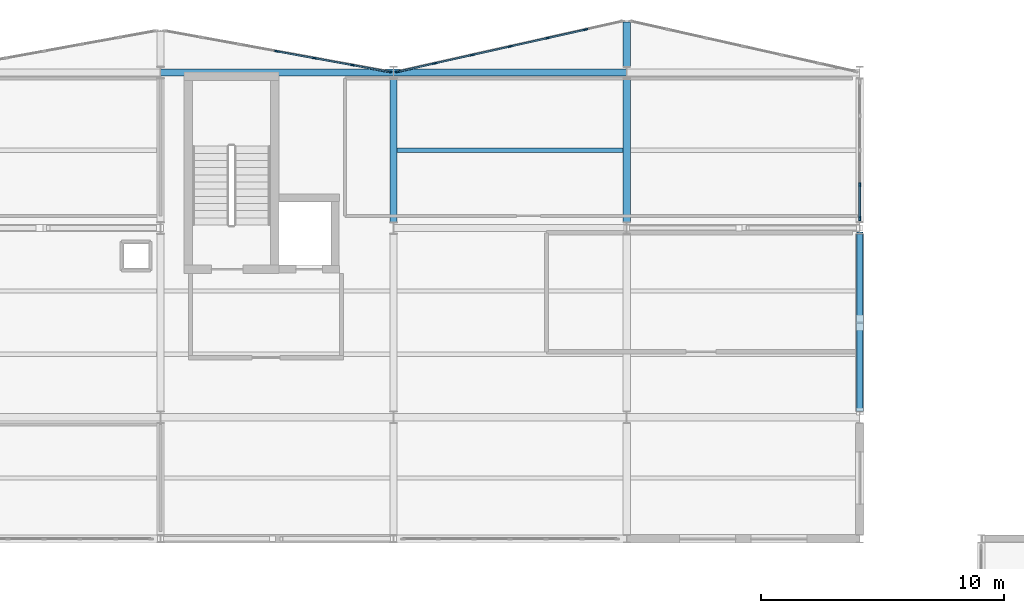
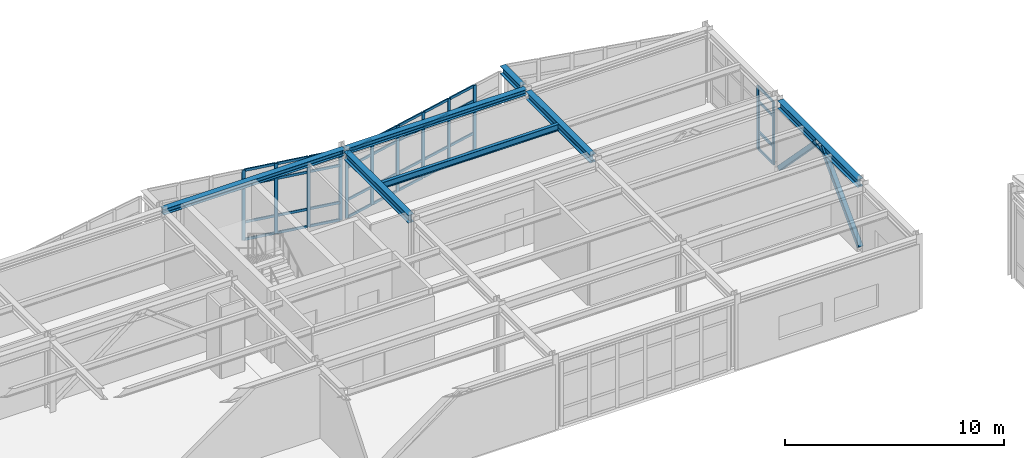
# One storey, part 36 of 64: 50 members, 7 beams, 3 elements without a shape of their own.
"""IFC4 building model written with IfcOpenShell, lengths in metres."""

import ifcopenshell
import ifcopenshell.guid

model = None  # the IFC model being written
_history = None  # IfcOwnerHistory: only IFC2X3 demands one
_inside = {}  # id of a spatial element -> (the spatial element, [elements in it])
_under = {}  # id of a project, library or spatial element -> (it, [spatial elements below it])
_declared = {}  # id of a project -> (the project, [libraries it declares])
_typed = {}  # id of a type object -> (the type object, [elements of that type])
_made_of = {}  # id of a material, layer set ... -> (it, [elements and type objects made of it])


def new_model(schema):
    """Start an empty IFC model of exactly this schema.

    Asked for "IFC4X3", IfcOpenShell would pick the latest addendum, in which some entities
    have other attributes; the version numbers below select the first issue.
    IFC2X3 requires an IfcOwnerHistory on every rooted entity: one is made here for all.
    """
    global model, _history
    if schema == "IFC4X3":
        model = ifcopenshell.file(schema_version=(4, 3, 0, 0))
    else:
        model = ifcopenshell.file(schema=schema)
    _inside.clear()
    _under.clear()
    _declared.clear()
    _typed.clear()
    _made_of.clear()
    _history = None
    if model.schema == "IFC2X3":
        org = make("IfcOrganization", Name="unknown")
        user = make(
            "IfcPersonAndOrganization",
            ThePerson=make("IfcPerson", FamilyName="unknown"),
            TheOrganization=org,
        )
        app = make(
            "IfcApplication",
            ApplicationDeveloper=org,
            Version="unknown",
            ApplicationFullName="unknown",
            ApplicationIdentifier="unknown",
        )
        _history = make(
            "IfcOwnerHistory",
            OwningUser=user,
            OwningApplication=app,
            ChangeAction="ADDED",
            CreationDate=0,
        )
    return model


def make(cls, **values):
    """One entity of the class cls with the attributes given. An attribute that is None is left unset."""
    return model.create_entity(
        cls, **{name: value for name, value in values.items() if value is not None}
    )


def rooted(cls, **values):
    """An entity with a GlobalId (a new one), such as an element, a storey or a relation."""
    return make(cls, GlobalId=ifcopenshell.guid.new(), OwnerHistory=_history, **values)


def si_unit(unit_type, name, prefix=None):
    """IfcSIUnit, for example si_unit("LENGTHUNIT", "METRE", prefix="MILLI")."""
    return make("IfcSIUnit", UnitType=unit_type, Prefix=prefix, Name=name)


def assignment(units):
    """IfcUnitAssignment: the units of a project."""
    return None if units is None else make("IfcUnitAssignment", Units=units)


def point(xyz):
    """IfcCartesianPoint."""
    return None if xyz is None else make("IfcCartesianPoint", Coordinates=xyz)


def direction(xyz):
    """IfcDirection."""
    return None if xyz is None else make("IfcDirection", DirectionRatios=xyz)


def frame(location, z_axis=None, x_axis=None):
    """IfcAxis2Placement3D, a coordinate frame: its origin and axes. An axis left out is left unset."""
    return make(
        "IfcAxis2Placement3D",
        Location=point(location),
        Axis=direction(z_axis),
        RefDirection=direction(x_axis),
    )


def frame_2d(location, x_axis=None):
    """IfcAxis2Placement2D, a coordinate frame in the plane: its origin and x axis."""
    return make(
        "IfcAxis2Placement2D", Location=point(location), RefDirection=direction(x_axis)
    )


def origin():
    """The frame at (0, 0, 0) with its axes left unset."""
    return frame((0.0, 0.0, 0.0))


def origin_2d():
    """The frame at (0, 0) in the plane with its x axis left unset."""
    return frame_2d((0.0, 0.0))


def place(relative_to, where):
    """IfcLocalPlacement: puts the frame where relative to a parent placement (None: the world)."""
    return make(
        "IfcLocalPlacement", PlacementRelTo=relative_to, RelativePlacement=where
    )


def context(
    kind, dimensions, precision=None, world=None, true_north=None, identifier=None
):
    """IfcGeometricRepresentationContext, for example the 3D "Model" context."""
    return make(
        "IfcGeometricRepresentationContext",
        ContextIdentifier=identifier,
        ContextType=kind,
        CoordinateSpaceDimension=dimensions,
        Precision=precision,
        WorldCoordinateSystem=world,
        TrueNorth=true_north,
    )


def subcontext(parent, identifier, kind, view, scale=None):
    """IfcGeometricRepresentationSubContext, for example "Body" below "Model"."""
    return make(
        "IfcGeometricRepresentationSubContext",
        ContextIdentifier=identifier,
        ContextType=kind,
        ParentContext=parent,
        TargetScale=scale,
        TargetView=view,
    )


def project(units=None, contexts=None):
    """IfcProject with its units and contexts."""
    return rooted(
        "IfcProject",
        Name="project",
        RepresentationContexts=contexts,
        UnitsInContext=assignment(units),
    )


def spatial(cls, under=None, at=None, **own):
    """A site, building, storey or space (cls), placed at a placement, below another one or the project."""
    s = rooted(cls, ObjectPlacement=at, **own)
    if under is not None:
        _under.setdefault(under.id(), (under, []))[1].append(s)
    return s


def profile(cls, at=None, kind="AREA", **sizes):
    """A parametric profile (cls). Its sizes go by their IFC names, for example OverallWidth=200.0."""
    return make(cls, ProfileType=kind, Position=at, **sizes)


def rectangle(**sizes):
    """IfcRectangleProfileDef."""
    return profile("IfcRectangleProfileDef", **sizes)


def hollow_rectangle(**sizes):
    """IfcRectangleHollowProfileDef."""
    return profile("IfcRectangleHollowProfileDef", **sizes)


def i_section(**sizes):
    """IfcIShapeProfileDef."""
    return profile("IfcIShapeProfileDef", **sizes)


def extrude(swept, where, along, depth):
    """IfcExtrudedAreaSolid: the profile swept, set in the frame where, extruded along a direction by depth."""
    return make(
        "IfcExtrudedAreaSolid",
        SweptArea=swept,
        Position=where,
        ExtrudedDirection=direction(along),
        Depth=depth,
    )


def shape(context_of_items, identifier, shape_type, items):
    """IfcShapeRepresentation: the items that make up one representation, for example the "Body"."""
    return make(
        "IfcShapeRepresentation",
        ContextOfItems=context_of_items,
        RepresentationIdentifier=identifier,
        RepresentationType=shape_type,
        Items=items,
    )


def material(Name=None, Category=None):
    """IfcMaterial."""
    return make("IfcMaterial", Name=Name, Category=Category)


def layer(
    of_material, thickness, ventilated=None, Name=None, Category=None, Priority=None
):
    """IfcMaterialLayer: one layer of a wall or slab, of a material (None: an air gap)."""
    return make(
        "IfcMaterialLayer",
        Material=of_material,
        LayerThickness=thickness,
        IsVentilated=ventilated,
        Name=Name,
        Category=Category,
        Priority=Priority,
    )


def layer_set(layers, Name=None):
    """IfcMaterialLayerSet."""
    return make("IfcMaterialLayerSet", MaterialLayers=layers, LayerSetName=Name)


def material_profile(
    of_material, cross_section, Name=None, Category=None, Priority=None
):
    """IfcMaterialProfile: a cross section and its material."""
    return make(
        "IfcMaterialProfile",
        Name=Name,
        Material=of_material,
        Profile=cross_section,
        Priority=Priority,
        Category=Category,
    )


def profile_set(profiles, Name=None, composite=None):
    """IfcMaterialProfileSet."""
    return make(
        "IfcMaterialProfileSet",
        Name=Name,
        MaterialProfiles=profiles,
        CompositeProfile=composite,
    )


def made_of(thing, what):
    """Note that an element or type object is made of a material, layer set ...; save() writes the relation."""
    if what is not None:
        _made_of.setdefault(what.id(), (what, []))[1].append(thing)
    return thing


def type_object(cls, material=None, **own):
    """A type object (cls), such as IfcWallType, which elements share."""
    return made_of(rooted(cls, **own), material)


def element(
    cls,
    number,
    at=None,
    inside=None,
    cuts=None,
    type_object=None,
    material=None,
    context=None,
    identifier="Body",
    shape_type=None,
    held_by="IfcProductDefinitionShape",
    body=None,
    shapes=None,
    **own,
):
    """One element of the class cls, such as IfcWall. Its Tag is "e" and its number.

    at: its placement. inside: the storey or other place that contains it. cuts: it is an
    opening in that element (IfcRelVoidsElement). A single representation is given by context,
    identifier, shape_type and body (its items); several are given by shapes. held_by: the class
    of the entity that holds the representations. save() writes the other relations.
    """
    e = rooted(cls, Tag="e%d" % number, ObjectPlacement=at, **own)
    if body is not None:
        shapes = [shape(context, identifier, shape_type, body)]
    if shapes is not None:
        e.Representation = make(held_by, Representations=shapes)
    if inside is not None:
        _inside.setdefault(inside.id(), (inside, []))[1].append(e)
    if cuts is not None:
        rooted(
            "IfcRelVoidsElement", RelatingBuildingElement=cuts, RelatedOpeningElement=e
        )
    if type_object is not None:
        _typed.setdefault(type_object.id(), (type_object, []))[1].append(e)
    return made_of(e, material)


def aggregate(whole, parts):
    """IfcRelAggregates: a whole, such as a stair, and the parts it consists of."""
    return rooted("IfcRelAggregates", RelatingObject=whole, RelatedObjects=parts)


def save(model, path):
    """Write the relations noted so far, then the file.

    IfcRelAggregates (storeys below a building ...), IfcRelContainedInSpatialStructure (elements
    in a storey), IfcRelDefinesByType, IfcRelAssociatesMaterial and IfcRelDeclares: one each for
    every whole, place, type object, material and project.
    """
    for whole, parts in _under.values():
        aggregate(whole, parts)
    for where, things in _inside.values():
        rooted(
            "IfcRelContainedInSpatialStructure",
            RelatedElements=things,
            RelatingStructure=where,
        )
    for kind, things in _typed.values():
        rooted("IfcRelDefinesByType", RelatedObjects=things, RelatingType=kind)
    for what, things in _made_of.values():
        rooted("IfcRelAssociatesMaterial", RelatedObjects=things, RelatingMaterial=what)
    for by, libraries in _declared.values():
        rooted("IfcRelDeclares", RelatingContext=by, RelatedDefinitions=libraries)
    model.write(path)


model = new_model("IFC4")

# Units and contexts
model_context = context("Model", 3, precision=1e-05, world=origin(), true_north=direction((0.0, 1.0)))
body_context = subcontext(model_context, "Body", "Model", "MODEL_VIEW")
ifc_project = project(units=[si_unit("LENGTHUNIT", "METRE"), si_unit("AREAUNIT", "SQUARE_METRE"), si_unit("VOLUMEUNIT", "CUBIC_METRE"), si_unit("PLANEANGLEUNIT", "RADIAN"), si_unit("MASSUNIT", "GRAM", prefix="KILO")], contexts=[model_context])

# Site, building, storey
site_placement = place(None, origin())
site = spatial("IfcSite", under=ifc_project, at=site_placement, CompositionType="ELEMENT")
building_placement = place(site_placement, origin())
building = spatial("IfcBuilding", under=site, at=building_placement, Name="Nordkorset Police Headquarters", CompositionType="ELEMENT")
storey_placement = place(building_placement, frame((0.0, 0.0, 17.85009765625)))
storey = spatial("IfcBuildingStorey", under=building, at=storey_placement, Name="L04", CompositionType="ELEMENT", Elevation=17.85009765625)

# Beam
ifc_material_1 = material(Name="Steel S355J2", Category="steel")
ifc_material_profile_1 = material_profile(ifc_material_1, i_section(OverallWidth=0.169921875, OverallDepth=0.360107421875, WebThickness=0.008056640625, FlangeThickness=0.0126953125, FilletRadius=0.01806640625, at=origin_2d()), Name="IPE 360")
ifc_profile_set_1 = profile_set([ifc_material_profile_1], Name="Steel S355J2")
beam_type_1 = type_object("IfcBeamType", Name="Beam_IPE_360", PredefinedType="BEAM", material=ifc_profile_set_1)
beam_1_placement = place(storey_placement, frame((67.35009765625, 113.60009765625, 3.809814453125), z_axis=(1.0, 0.0, 0.0), x_axis=(0.0, 1.0, 0.0)))
element("IfcBeam", 1, at=beam_1_placement, inside=storey, type_object=beam_type_1, Name="Composite Floor Beam V2 L04 4-2-1", PredefinedType="BEAM", context=body_context, shape_type="SweptSolid", body=[
    extrude(i_section(OverallWidth=0.169921875, OverallDepth=0.360107421875, WebThickness=0.008056640625, FlangeThickness=0.0126953125, FilletRadius=0.01806640625, at=origin_2d()), origin(), (0.0, 0.0, 1.0), 9.2998046875),
])

# Members
ifc_material_2 = material(Name="Steel S355J2", Category="steel")
ifc_material_profile_2 = material_profile(ifc_material_2, hollow_rectangle(XDim=0.25, YDim=0.25, WallThickness=0.012451171875, InnerFilletRadius=0.012451171875, OuterFilletRadius=0.02490234375, at=origin_2d()), Name="SHS 250x250x12.5")
ifc_profile_set_2 = profile_set([ifc_material_profile_2], Name="Steel S355J2")
member_type_1 = type_object("IfcMemberType", Name="Brace_SHS_250x250x12.5", PredefinedType="BRACE", material=ifc_profile_set_2)
for number, where, z_axis, x_axis, name in (
    (2, (86.39990234375, 102.85009765625, 0.199951171875), (0.0, 0.696982450013, 0.717088184517), (-1.0, 0.0, 0.0), "Lateral Chevron Brace BF-EXT-V2E L04 D1"),
    (3, (86.39990234375, 110.14990234375, 0.199951171875), (0.0, -0.696982450013, 0.717088184517), (1.0, 0.0, 0.0), "Lateral Chevron Brace BF-EXT-V2E L04 D2"),
):
    element("IfcMember", number, at=place(storey_placement, frame(where, z_axis=z_axis, x_axis=x_axis)), inside=storey, type_object=member_type_1, Name=name, PredefinedType="BRACE", context=body_context, shape_type="SweptSolid", body=[
        extrude(hollow_rectangle(XDim=0.25, YDim=0.25, WallThickness=0.012451171875, InnerFilletRadius=0.012451171875, OuterFilletRadius=0.02490234375, at=origin_2d()), origin(), (0.0, 0.0, 1.0), 4.978515625),
    ])

# Curtain wall, members
ifc_material_3 = material(Name="Aluminium alloy AW-6060", Category="aluminium")
ifc_layer_1 = layer(ifc_material_3, 0.179931640625, Name="Aluminium alloy AW-6060")
ifc_layer_set_1 = layer_set([ifc_layer_1], Name="Aluminium alloy AW-6060")
curtain_wall_type_1 = type_object("IfcCurtainWallType", Name="CW_Unit_948x392", PredefinedType="USERDEFINED", material=ifc_layer_set_1)
curtain_wall_1_placement = place(storey_placement, origin())
curtain_wall_1 = element("IfcCurtainWall", 4, at=curtain_wall_1_placement, inside=storey, type_object=curtain_wall_type_1, Name="Unitised Curtain Wall L04 V2N-3", ObjectType="UNITISED CURTAIN WALL", PredefinedType="USERDEFINED")
ifc_material_4 = material(Name="Aluminium alloy AW-6060", Category="aluminium")
ifc_material_profile_3 = material_profile(ifc_material_4, rectangle(XDim=0.06494140625, YDim=0.179931640625, at=origin_2d()), Name="ALU MULL 65x180")
ifc_profile_set_3 = profile_set([ifc_material_profile_3], Name="Aluminium alloy AW-6060")
member_type_2 = type_object("IfcMemberType", Name="CW_Mullion_65x180", PredefinedType="MULLION", material=ifc_profile_set_3)
member_1_placement = place(storey_placement, frame((62.39990234375, 117.675048828125, 0.0), z_axis=(0.0, 0.0, 1.0), x_axis=(0.179335715876, 0.983787934979, 0.0)))
member_1 = element("IfcMember", 5, at=member_1_placement, type_object=member_type_2, Name="CW-65 mullion 4", PredefinedType="MULLION", context=body_context, shape_type="SweptSolid", body=[
    extrude(rectangle(XDim=0.06494140625, YDim=0.179931640625, at=origin_2d()), origin(), (0.0, 0.0, 1.0), 3.919921875),
])
member_2_placement = place(storey_placement, frame((63.9541015625, 117.3916015625, 0.0), z_axis=(0.0, 0.0, 1.0), x_axis=(0.179335715876, 0.983787934979, 0.0)))
member_2 = element("IfcMember", 6, at=member_2_placement, type_object=member_type_2, Name="CW-65 mullion 5", PredefinedType="MULLION", context=body_context, shape_type="SweptSolid", body=[
    extrude(rectangle(XDim=0.06494140625, YDim=0.179931640625, at=origin_2d()), origin(), (0.0, 0.0, 1.0), 3.919921875),
])
member_3_placement = place(storey_placement, frame((65.50830078125, 117.1083984375, 0.0), z_axis=(0.0, 0.0, 1.0), x_axis=(0.179335715876, 0.983787934979, 0.0)))
member_3 = element("IfcMember", 7, at=member_3_placement, type_object=member_type_2, Name="CW-65 mullion 6", PredefinedType="MULLION", context=body_context, shape_type="SweptSolid", body=[
    extrude(rectangle(XDim=0.06494140625, YDim=0.179931640625, at=origin_2d()), origin(), (0.0, 0.0, 1.0), 3.919921875),
])
member_4_placement = place(storey_placement, frame((67.0302734375, 116.8310546875, 0.0), z_axis=(0.0, 0.0, 1.0), x_axis=(0.179335715876, 0.983787934979, 0.0)))
member_4 = element("IfcMember", 8, at=member_4_placement, type_object=member_type_2, Name="CW-65 mullion 7", PredefinedType="MULLION", context=body_context, shape_type="SweptSolid", body=[
    extrude(rectangle(XDim=0.06494140625, YDim=0.179931640625, at=origin_2d()), origin(), (0.0, 0.0, 1.0), 3.919921875),
])

ifc_material_5 = material(Name="Aluminium alloy AW-6060", Category="aluminium")
ifc_layer_2 = layer(ifc_material_5, 0.179931640625, Name="Aluminium alloy AW-6060")
ifc_layer_set_2 = layer_set([ifc_layer_2], Name="Aluminium alloy AW-6060")
curtain_wall_type_2 = type_object("IfcCurtainWallType", Name="CW_Unit_956x366", PredefinedType="USERDEFINED", material=ifc_layer_set_2)
curtain_wall_2_placement = place(storey_placement, origin())
curtain_wall_2 = element("IfcCurtainWall", 9, at=curtain_wall_2_placement, inside=storey, type_object=curtain_wall_type_2, Name="Unitised Curtain Wall L04 V2N-4", ObjectType="UNITISED CURTAIN WALL", PredefinedType="USERDEFINED")
member_5_placement = place(storey_placement, frame((67.368408203125, 116.837646484375, 0.0), z_axis=(0.0, 0.0, 1.0), x_axis=(-0.218544020358, 0.975827090814, 0.0)))
member_5 = element("IfcMember", 10, at=member_5_placement, type_object=member_type_2, Name="CW-61 mullion 1", PredefinedType="MULLION", context=body_context, shape_type="SweptSolid", body=[
    extrude(rectangle(XDim=0.06494140625, YDim=0.179931640625, at=origin_2d()), origin(), (0.0, 0.0, 1.0), 3.659912109375),
])
member_6_placement = place(storey_placement, frame((68.89111328125, 117.1787109375, 0.0), z_axis=(0.0, 0.0, 1.0), x_axis=(-0.218544020358, 0.975827090814, 0.0)))
member_6 = element("IfcMember", 11, at=member_6_placement, type_object=member_type_2, Name="CW-61 mullion 2", PredefinedType="MULLION", context=body_context, shape_type="SweptSolid", body=[
    extrude(rectangle(XDim=0.06494140625, YDim=0.179931640625, at=origin_2d()), origin(), (0.0, 0.0, 1.0), 3.659912109375),
])
member_7_placement = place(storey_placement, frame((70.445556640625, 117.52685546875, 0.0), z_axis=(0.0, 0.0, 1.0), x_axis=(-0.218544020358, 0.975827090814, 0.0)))
member_7 = element("IfcMember", 12, at=member_7_placement, type_object=member_type_2, Name="CW-61 mullion 3", PredefinedType="MULLION", context=body_context, shape_type="SweptSolid", body=[
    extrude(rectangle(XDim=0.06494140625, YDim=0.179931640625, at=origin_2d()), origin(), (0.0, 0.0, 1.0), 3.659912109375),
])
member_8_placement = place(storey_placement, frame((72.0, 117.875, 0.0), z_axis=(0.0, 0.0, 1.0), x_axis=(-0.218544020358, 0.975827090814, 0.0)))
member_8 = element("IfcMember", 13, at=member_8_placement, type_object=member_type_2, Name="CW-61 mullion 4", PredefinedType="MULLION", context=body_context, shape_type="SweptSolid", body=[
    extrude(rectangle(XDim=0.06494140625, YDim=0.179931640625, at=origin_2d()), origin(), (0.0, 0.0, 1.0), 3.659912109375),
])
member_9_placement = place(storey_placement, frame((73.554443359375, 118.22314453125, 0.0), z_axis=(0.0, 0.0, 1.0), x_axis=(-0.218544020358, 0.975827090814, 0.0)))
member_9 = element("IfcMember", 14, at=member_9_placement, type_object=member_type_2, Name="CW-61 mullion 5", PredefinedType="MULLION", context=body_context, shape_type="SweptSolid", body=[
    extrude(rectangle(XDim=0.06494140625, YDim=0.179931640625, at=origin_2d()), origin(), (0.0, 0.0, 1.0), 3.659912109375),
])
member_10_placement = place(storey_placement, frame((75.10888671875, 118.5712890625, 0.0), z_axis=(0.0, 0.0, 1.0), x_axis=(-0.218544020358, 0.975827090814, 0.0)))
member_10 = element("IfcMember", 15, at=member_10_placement, type_object=member_type_2, Name="CW-61 mullion 6", PredefinedType="MULLION", context=body_context, shape_type="SweptSolid", body=[
    extrude(rectangle(XDim=0.06494140625, YDim=0.179931640625, at=origin_2d()), origin(), (0.0, 0.0, 1.0), 3.659912109375),
])

ifc_material_6 = material(Name="Aluminium alloy AW-6060", Category="aluminium")
ifc_layer_3 = layer(ifc_material_6, 0.179931640625, Name="Aluminium alloy AW-6060")
ifc_layer_set_3 = layer_set([ifc_layer_3], Name="Aluminium alloy AW-6060")
curtain_wall_type_3 = type_object("IfcCurtainWallType", Name="CW_Unit_568x353", PredefinedType="USERDEFINED", material=ifc_layer_set_3)
curtain_wall_3_placement = place(storey_placement, origin())
curtain_wall_3 = element("IfcCurtainWall", 16, at=curtain_wall_3_placement, inside=storey, type_object=curtain_wall_type_3, Name="Unitised Curtain Wall L04 V2E-1", ObjectType="UNITISED CURTAIN WALL", PredefinedType="USERDEFINED")
member_11_placement = place(storey_placement, frame((86.39990234375, 110.79248046875, 0.0), z_axis=(0.0, 0.0, 1.0), x_axis=(-1.0, 0.0, 0.0)))
member_11 = element("IfcMember", 17, at=member_11_placement, type_object=member_type_2, Name="CW-17 mullion 1", PredefinedType="MULLION", context=body_context, shape_type="SweptSolid", body=[
    extrude(rectangle(XDim=0.06494140625, YDim=0.179931640625, at=origin_2d()), origin(), (0.0, 0.0, 1.0), 3.52978515625),
])
member_12_placement = place(storey_placement, frame((86.39990234375, 112.179931640625, 0.0), z_axis=(0.0, 0.0, 1.0), x_axis=(-1.0, 0.0, 0.0)))
member_12 = element("IfcMember", 18, at=member_12_placement, type_object=member_type_2, Name="CW-17 mullion 2", PredefinedType="MULLION", context=body_context, shape_type="SweptSolid", body=[
    extrude(rectangle(XDim=0.06494140625, YDim=0.179931640625, at=origin_2d()), origin(), (0.0, 0.0, 1.0), 3.52978515625),
])

# Member
ifc_material_7 = material(Name="Aluminium alloy AW-6060", Category="aluminium")
ifc_material_profile_4 = material_profile(ifc_material_7, rectangle(XDim=0.06494140625, YDim=0.139892578125, at=origin_2d()), Name="ALU TRAN 65x140")
ifc_profile_set_4 = profile_set([ifc_material_profile_4], Name="Aluminium alloy AW-6060")
member_type_3 = type_object("IfcMemberType", Name="CW_Transom_65x140", PredefinedType="USERDEFINED", material=ifc_profile_set_4)
member_13_placement = place(storey_placement, frame((62.431884765625, 117.669189453125, 0.032470703125), z_axis=(0.983779529869, -0.179381817946, 0.0), x_axis=(0.179381817946, 0.983779529869, 0.0)))
member_13 = element("IfcMember", 19, at=member_13_placement, type_object=member_type_3, Name="CW-65 transom 4.1", ObjectType="TRANSOM", PredefinedType="USERDEFINED", context=body_context, shape_type="SweptSolid", body=[
    extrude(rectangle(XDim=0.06494140625, YDim=0.139892578125, at=origin_2d()), origin(), (0.0, 0.0, 1.0), 1.514892578125),
])

member_14_placement = place(storey_placement, frame((62.431884765625, 117.669189453125, 1.0), z_axis=(0.983779529869, -0.179381817946, 0.0), x_axis=(0.179381817946, 0.983779529869, 0.0)))
member_14 = element("IfcMember", 20, at=member_14_placement, type_object=member_type_3, Name="CW-65 transom 4.2", ObjectType="TRANSOM", PredefinedType="USERDEFINED", context=body_context, shape_type="SweptSolid", body=[
    extrude(rectangle(XDim=0.06494140625, YDim=0.139892578125, at=origin_2d()), origin(), (0.0, 0.0, 1.0), 1.514892578125),
])

member_15_placement = place(storey_placement, frame((62.431884765625, 117.669189453125, 3.06982421875), z_axis=(0.983779529869, -0.179381817946, 0.0), x_axis=(0.179381817946, 0.983779529869, 0.0)))
member_15 = element("IfcMember", 21, at=member_15_placement, type_object=member_type_3, Name="CW-65 transom 4.3", ObjectType="TRANSOM", PredefinedType="USERDEFINED", context=body_context, shape_type="SweptSolid", body=[
    extrude(rectangle(XDim=0.06494140625, YDim=0.139892578125, at=origin_2d()), origin(), (0.0, 0.0, 1.0), 1.514892578125),
])

member_16_placement = place(storey_placement, frame((62.431884765625, 117.669189453125, 3.887451171875), z_axis=(0.983779529869, -0.179381817946, 0.0), x_axis=(0.179381817946, 0.983779529869, 0.0)))
member_16 = element("IfcMember", 22, at=member_16_placement, type_object=member_type_3, Name="CW-65 transom 4.4", ObjectType="TRANSOM", PredefinedType="USERDEFINED", context=body_context, shape_type="SweptSolid", body=[
    extrude(rectangle(XDim=0.06494140625, YDim=0.139892578125, at=origin_2d()), origin(), (0.0, 0.0, 1.0), 1.514892578125),
])

member_17_placement = place(storey_placement, frame((63.986083984375, 117.385986328125, 0.032470703125), z_axis=(0.983779529869, -0.179381817946, 0.0), x_axis=(0.179381817946, 0.983779529869, 0.0)))
member_17 = element("IfcMember", 23, at=member_17_placement, type_object=member_type_3, Name="CW-65 transom 5.1", ObjectType="TRANSOM", PredefinedType="USERDEFINED", context=body_context, shape_type="SweptSolid", body=[
    extrude(rectangle(XDim=0.06494140625, YDim=0.139892578125, at=origin_2d()), origin(), (0.0, 0.0, 1.0), 1.514892578125),
])

member_18_placement = place(storey_placement, frame((63.986083984375, 117.385986328125, 1.0), z_axis=(0.983779529869, -0.179381817946, 0.0), x_axis=(0.179381817946, 0.983779529869, 0.0)))
member_18 = element("IfcMember", 24, at=member_18_placement, type_object=member_type_3, Name="CW-65 transom 5.2", ObjectType="TRANSOM", PredefinedType="USERDEFINED", context=body_context, shape_type="SweptSolid", body=[
    extrude(rectangle(XDim=0.06494140625, YDim=0.139892578125, at=origin_2d()), origin(), (0.0, 0.0, 1.0), 1.514892578125),
])

member_19_placement = place(storey_placement, frame((63.986083984375, 117.385986328125, 3.06982421875), z_axis=(0.983779529869, -0.179381817946, 0.0), x_axis=(0.179381817946, 0.983779529869, 0.0)))
member_19 = element("IfcMember", 25, at=member_19_placement, type_object=member_type_3, Name="CW-65 transom 5.3", ObjectType="TRANSOM", PredefinedType="USERDEFINED", context=body_context, shape_type="SweptSolid", body=[
    extrude(rectangle(XDim=0.06494140625, YDim=0.139892578125, at=origin_2d()), origin(), (0.0, 0.0, 1.0), 1.514892578125),
])

member_20_placement = place(storey_placement, frame((63.986083984375, 117.385986328125, 3.887451171875), z_axis=(0.983779529869, -0.179381817946, 0.0), x_axis=(0.179381817946, 0.983779529869, 0.0)))
member_20 = element("IfcMember", 26, at=member_20_placement, type_object=member_type_3, Name="CW-65 transom 5.4", ObjectType="TRANSOM", PredefinedType="USERDEFINED", context=body_context, shape_type="SweptSolid", body=[
    extrude(rectangle(XDim=0.06494140625, YDim=0.139892578125, at=origin_2d()), origin(), (0.0, 0.0, 1.0), 1.514892578125),
])

member_21_placement = place(storey_placement, frame((65.5400390625, 117.1025390625, 0.032470703125), z_axis=(0.98378282961, -0.179363720316, 0.0), x_axis=(0.179363720316, 0.98378282961, 0.0)))
member_21 = element("IfcMember", 27, at=member_21_placement, type_object=member_type_3, Name="CW-65 transom 6.1", ObjectType="TRANSOM", PredefinedType="USERDEFINED", context=body_context, shape_type="SweptSolid", body=[
    extrude(rectangle(XDim=0.06494140625, YDim=0.139892578125, at=origin_2d()), origin(), (0.0, 0.0, 1.0), 1.482177734375),
])

member_22_placement = place(storey_placement, frame((65.5400390625, 117.1025390625, 1.0), z_axis=(0.98378282961, -0.179363720316, 0.0), x_axis=(0.179363720316, 0.98378282961, 0.0)))
member_22 = element("IfcMember", 28, at=member_22_placement, type_object=member_type_3, Name="CW-65 transom 6.2", ObjectType="TRANSOM", PredefinedType="USERDEFINED", context=body_context, shape_type="SweptSolid", body=[
    extrude(rectangle(XDim=0.06494140625, YDim=0.139892578125, at=origin_2d()), origin(), (0.0, 0.0, 1.0), 1.482177734375),
])

member_23_placement = place(storey_placement, frame((65.5400390625, 117.1025390625, 3.06982421875), z_axis=(0.98378282961, -0.179363720316, 0.0), x_axis=(0.179363720316, 0.98378282961, 0.0)))
member_23 = element("IfcMember", 29, at=member_23_placement, type_object=member_type_3, Name="CW-65 transom 6.3", ObjectType="TRANSOM", PredefinedType="USERDEFINED", context=body_context, shape_type="SweptSolid", body=[
    extrude(rectangle(XDim=0.06494140625, YDim=0.139892578125, at=origin_2d()), origin(), (0.0, 0.0, 1.0), 1.482177734375),
])

member_24_placement = place(storey_placement, frame((65.5400390625, 117.1025390625, 3.887451171875), z_axis=(0.98378282961, -0.179363720316, 0.0), x_axis=(0.179363720316, 0.98378282961, 0.0)))
member_24 = element("IfcMember", 30, at=member_24_placement, type_object=member_type_3, Name="CW-65 transom 6.4", ObjectType="TRANSOM", PredefinedType="USERDEFINED", context=body_context, shape_type="SweptSolid", body=[
    extrude(rectangle(XDim=0.06494140625, YDim=0.139892578125, at=origin_2d()), origin(), (0.0, 0.0, 1.0), 1.482177734375),
])

aggregate(curtain_wall_1, [member_1, member_2, member_3, member_4, member_13, member_14, member_15, member_16, member_17, member_18, member_19, member_20, member_21, member_22, member_23, member_24])

member_25_placement = place(storey_placement, frame((67.400146484375, 116.8447265625, 0.032470703125), z_axis=(0.975813000089, 0.218606927743, 0.0), x_axis=(-0.218606927743, 0.975813000089, 0.0)))
member_25 = element("IfcMember", 31, at=member_25_placement, type_object=member_type_3, Name="CW-61 transom 1.1", ObjectType="TRANSOM", PredefinedType="USERDEFINED", context=body_context, shape_type="SweptSolid", body=[
    extrude(rectangle(XDim=0.06494140625, YDim=0.139892578125, at=origin_2d()), origin(), (0.0, 0.0, 1.0), 1.495361328125),
])

member_26_placement = place(storey_placement, frame((67.400146484375, 116.8447265625, 1.0), z_axis=(0.975813000089, 0.218606927743, 0.0), x_axis=(-0.218606927743, 0.975813000089, 0.0)))
member_26 = element("IfcMember", 32, at=member_26_placement, type_object=member_type_3, Name="CW-61 transom 1.2", ObjectType="TRANSOM", PredefinedType="USERDEFINED", context=body_context, shape_type="SweptSolid", body=[
    extrude(rectangle(XDim=0.06494140625, YDim=0.139892578125, at=origin_2d()), origin(), (0.0, 0.0, 1.0), 1.495361328125),
])

member_27_placement = place(storey_placement, frame((67.400146484375, 116.8447265625, 2.809814453125), z_axis=(0.975813000089, 0.218606927743, 0.0), x_axis=(-0.218606927743, 0.975813000089, 0.0)))
member_27 = element("IfcMember", 33, at=member_27_placement, type_object=member_type_3, Name="CW-61 transom 1.3", ObjectType="TRANSOM", PredefinedType="USERDEFINED", context=body_context, shape_type="SweptSolid", body=[
    extrude(rectangle(XDim=0.06494140625, YDim=0.139892578125, at=origin_2d()), origin(), (0.0, 0.0, 1.0), 1.495361328125),
])

member_28_placement = place(storey_placement, frame((67.400146484375, 116.8447265625, 3.62744140625), z_axis=(0.975813000089, 0.218606927743, 0.0), x_axis=(-0.218606927743, 0.975813000089, 0.0)))
member_28 = element("IfcMember", 34, at=member_28_placement, type_object=member_type_3, Name="CW-61 transom 1.4", ObjectType="TRANSOM", PredefinedType="USERDEFINED", context=body_context, shape_type="SweptSolid", body=[
    extrude(rectangle(XDim=0.06494140625, YDim=0.139892578125, at=origin_2d()), origin(), (0.0, 0.0, 1.0), 1.495361328125),
])

member_29_placement = place(storey_placement, frame((68.9228515625, 117.185791015625, 0.032470703125), z_axis=(0.975817202869, 0.218588166616, 0.0), x_axis=(-0.218588166616, 0.975817202869, 0.0)))
member_29 = element("IfcMember", 35, at=member_29_placement, type_object=member_type_3, Name="CW-61 transom 2.1", ObjectType="TRANSOM", PredefinedType="USERDEFINED", context=body_context, shape_type="SweptSolid", body=[
    extrude(rectangle(XDim=0.06494140625, YDim=0.139892578125, at=origin_2d()), origin(), (0.0, 0.0, 1.0), 1.52783203125),
])

member_30_placement = place(storey_placement, frame((68.9228515625, 117.185791015625, 1.0), z_axis=(0.975817202869, 0.218588166616, 0.0), x_axis=(-0.218588166616, 0.975817202869, 0.0)))
member_30 = element("IfcMember", 36, at=member_30_placement, type_object=member_type_3, Name="CW-61 transom 2.2", ObjectType="TRANSOM", PredefinedType="USERDEFINED", context=body_context, shape_type="SweptSolid", body=[
    extrude(rectangle(XDim=0.06494140625, YDim=0.139892578125, at=origin_2d()), origin(), (0.0, 0.0, 1.0), 1.52783203125),
])

member_31_placement = place(storey_placement, frame((68.9228515625, 117.185791015625, 2.809814453125), z_axis=(0.975817202869, 0.218588166616, 0.0), x_axis=(-0.218588166616, 0.975817202869, 0.0)))
member_31 = element("IfcMember", 37, at=member_31_placement, type_object=member_type_3, Name="CW-61 transom 2.3", ObjectType="TRANSOM", PredefinedType="USERDEFINED", context=body_context, shape_type="SweptSolid", body=[
    extrude(rectangle(XDim=0.06494140625, YDim=0.139892578125, at=origin_2d()), origin(), (0.0, 0.0, 1.0), 1.52783203125),
])

member_32_placement = place(storey_placement, frame((68.9228515625, 117.185791015625, 3.62744140625), z_axis=(0.975817202869, 0.218588166616, 0.0), x_axis=(-0.218588166616, 0.975817202869, 0.0)))
member_32 = element("IfcMember", 38, at=member_32_placement, type_object=member_type_3, Name="CW-61 transom 2.4", ObjectType="TRANSOM", PredefinedType="USERDEFINED", context=body_context, shape_type="SweptSolid", body=[
    extrude(rectangle(XDim=0.06494140625, YDim=0.139892578125, at=origin_2d()), origin(), (0.0, 0.0, 1.0), 1.52783203125),
])

member_33_placement = place(storey_placement, frame((70.477294921875, 117.533935546875, 0.032470703125), z_axis=(0.975817202869, 0.218588166616, 0.0), x_axis=(-0.218588166616, 0.975817202869, 0.0)))
member_33 = element("IfcMember", 39, at=member_33_placement, type_object=member_type_3, Name="CW-61 transom 3.1", ObjectType="TRANSOM", PredefinedType="USERDEFINED", context=body_context, shape_type="SweptSolid", body=[
    extrude(rectangle(XDim=0.06494140625, YDim=0.139892578125, at=origin_2d()), origin(), (0.0, 0.0, 1.0), 1.52783203125),
])

member_34_placement = place(storey_placement, frame((70.477294921875, 117.533935546875, 1.0), z_axis=(0.975817202869, 0.218588166616, 0.0), x_axis=(-0.218588166616, 0.975817202869, 0.0)))
member_34 = element("IfcMember", 40, at=member_34_placement, type_object=member_type_3, Name="CW-61 transom 3.2", ObjectType="TRANSOM", PredefinedType="USERDEFINED", context=body_context, shape_type="SweptSolid", body=[
    extrude(rectangle(XDim=0.06494140625, YDim=0.139892578125, at=origin_2d()), origin(), (0.0, 0.0, 1.0), 1.52783203125),
])

member_35_placement = place(storey_placement, frame((70.477294921875, 117.533935546875, 2.809814453125), z_axis=(0.975817202869, 0.218588166616, 0.0), x_axis=(-0.218588166616, 0.975817202869, 0.0)))
member_35 = element("IfcMember", 41, at=member_35_placement, type_object=member_type_3, Name="CW-61 transom 3.3", ObjectType="TRANSOM", PredefinedType="USERDEFINED", context=body_context, shape_type="SweptSolid", body=[
    extrude(rectangle(XDim=0.06494140625, YDim=0.139892578125, at=origin_2d()), origin(), (0.0, 0.0, 1.0), 1.52783203125),
])

member_36_placement = place(storey_placement, frame((70.477294921875, 117.533935546875, 3.62744140625), z_axis=(0.975817202869, 0.218588166616, 0.0), x_axis=(-0.218588166616, 0.975817202869, 0.0)))
member_36 = element("IfcMember", 42, at=member_36_placement, type_object=member_type_3, Name="CW-61 transom 3.4", ObjectType="TRANSOM", PredefinedType="USERDEFINED", context=body_context, shape_type="SweptSolid", body=[
    extrude(rectangle(XDim=0.06494140625, YDim=0.139892578125, at=origin_2d()), origin(), (0.0, 0.0, 1.0), 1.52783203125),
])

member_37_placement = place(storey_placement, frame((72.03173828125, 117.882080078125, 0.032470703125), z_axis=(0.975817202869, 0.218588166616, 0.0), x_axis=(-0.218588166616, 0.975817202869, 0.0)))
member_37 = element("IfcMember", 43, at=member_37_placement, type_object=member_type_3, Name="CW-61 transom 4.1", ObjectType="TRANSOM", PredefinedType="USERDEFINED", context=body_context, shape_type="SweptSolid", body=[
    extrude(rectangle(XDim=0.06494140625, YDim=0.139892578125, at=origin_2d()), origin(), (0.0, 0.0, 1.0), 1.52783203125),
])

member_38_placement = place(storey_placement, frame((72.03173828125, 117.882080078125, 1.0), z_axis=(0.975817202869, 0.218588166616, 0.0), x_axis=(-0.218588166616, 0.975817202869, 0.0)))
member_38 = element("IfcMember", 44, at=member_38_placement, type_object=member_type_3, Name="CW-61 transom 4.2", ObjectType="TRANSOM", PredefinedType="USERDEFINED", context=body_context, shape_type="SweptSolid", body=[
    extrude(rectangle(XDim=0.06494140625, YDim=0.139892578125, at=origin_2d()), origin(), (0.0, 0.0, 1.0), 1.52783203125),
])

member_39_placement = place(storey_placement, frame((72.03173828125, 117.882080078125, 2.809814453125), z_axis=(0.975817202869, 0.218588166616, 0.0), x_axis=(-0.218588166616, 0.975817202869, 0.0)))
member_39 = element("IfcMember", 45, at=member_39_placement, type_object=member_type_3, Name="CW-61 transom 4.3", ObjectType="TRANSOM", PredefinedType="USERDEFINED", context=body_context, shape_type="SweptSolid", body=[
    extrude(rectangle(XDim=0.06494140625, YDim=0.139892578125, at=origin_2d()), origin(), (0.0, 0.0, 1.0), 1.52783203125),
])

member_40_placement = place(storey_placement, frame((72.03173828125, 117.882080078125, 3.62744140625), z_axis=(0.975817202869, 0.218588166616, 0.0), x_axis=(-0.218588166616, 0.975817202869, 0.0)))
member_40 = element("IfcMember", 46, at=member_40_placement, type_object=member_type_3, Name="CW-61 transom 4.4", ObjectType="TRANSOM", PredefinedType="USERDEFINED", context=body_context, shape_type="SweptSolid", body=[
    extrude(rectangle(XDim=0.06494140625, YDim=0.139892578125, at=origin_2d()), origin(), (0.0, 0.0, 1.0), 1.52783203125),
])

member_41_placement = place(storey_placement, frame((73.586181640625, 118.230224609375, 0.032470703125), z_axis=(0.975817202869, 0.218588166616, 0.0), x_axis=(-0.218588166616, 0.975817202869, 0.0)))
member_41 = element("IfcMember", 47, at=member_41_placement, type_object=member_type_3, Name="CW-61 transom 5.1", ObjectType="TRANSOM", PredefinedType="USERDEFINED", context=body_context, shape_type="SweptSolid", body=[
    extrude(rectangle(XDim=0.06494140625, YDim=0.139892578125, at=origin_2d()), origin(), (0.0, 0.0, 1.0), 1.52783203125),
])

member_42_placement = place(storey_placement, frame((73.586181640625, 118.230224609375, 1.0), z_axis=(0.975817202869, 0.218588166616, 0.0), x_axis=(-0.218588166616, 0.975817202869, 0.0)))
member_42 = element("IfcMember", 48, at=member_42_placement, type_object=member_type_3, Name="CW-61 transom 5.2", ObjectType="TRANSOM", PredefinedType="USERDEFINED", context=body_context, shape_type="SweptSolid", body=[
    extrude(rectangle(XDim=0.06494140625, YDim=0.139892578125, at=origin_2d()), origin(), (0.0, 0.0, 1.0), 1.52783203125),
])

member_43_placement = place(storey_placement, frame((73.586181640625, 118.230224609375, 2.809814453125), z_axis=(0.975817202869, 0.218588166616, 0.0), x_axis=(-0.218588166616, 0.975817202869, 0.0)))
member_43 = element("IfcMember", 49, at=member_43_placement, type_object=member_type_3, Name="CW-61 transom 5.3", ObjectType="TRANSOM", PredefinedType="USERDEFINED", context=body_context, shape_type="SweptSolid", body=[
    extrude(rectangle(XDim=0.06494140625, YDim=0.139892578125, at=origin_2d()), origin(), (0.0, 0.0, 1.0), 1.52783203125),
])

member_44_placement = place(storey_placement, frame((73.586181640625, 118.230224609375, 3.62744140625), z_axis=(0.975817202869, 0.218588166616, 0.0), x_axis=(-0.218588166616, 0.975817202869, 0.0)))
member_44 = element("IfcMember", 50, at=member_44_placement, type_object=member_type_3, Name="CW-61 transom 5.4", ObjectType="TRANSOM", PredefinedType="USERDEFINED", context=body_context, shape_type="SweptSolid", body=[
    extrude(rectangle(XDim=0.06494140625, YDim=0.139892578125, at=origin_2d()), origin(), (0.0, 0.0, 1.0), 1.52783203125),
])

aggregate(curtain_wall_2, [member_5, member_6, member_7, member_8, member_9, member_10, member_25, member_26, member_27, member_28, member_29, member_30, member_31, member_32, member_33, member_34, member_35, member_36, member_37, member_38, member_39, member_40, member_41, member_42, member_43, member_44])

member_45_placement = place(storey_placement, frame((86.39990234375, 110.824951171875, 0.032470703125), z_axis=(0.0, 1.0, 0.0), x_axis=(-1.0, 0.0, 0.0)))
member_45 = element("IfcMember", 51, at=member_45_placement, type_object=member_type_3, Name="CW-17 transom 1.1", ObjectType="TRANSOM", PredefinedType="USERDEFINED", context=body_context, shape_type="SweptSolid", body=[
    extrude(rectangle(XDim=0.06494140625, YDim=0.139892578125, at=origin_2d()), origin(), (0.0, 0.0, 1.0), 1.322509765625),
])

member_46_placement = place(storey_placement, frame((86.39990234375, 110.824951171875, 1.0), z_axis=(0.0, 1.0, 0.0), x_axis=(-1.0, 0.0, 0.0)))
member_46 = element("IfcMember", 52, at=member_46_placement, type_object=member_type_3, Name="CW-17 transom 1.2", ObjectType="TRANSOM", PredefinedType="USERDEFINED", context=body_context, shape_type="SweptSolid", body=[
    extrude(rectangle(XDim=0.06494140625, YDim=0.139892578125, at=origin_2d()), origin(), (0.0, 0.0, 1.0), 1.322509765625),
])

member_47_placement = place(storey_placement, frame((86.39990234375, 110.824951171875, 2.679931640625), z_axis=(0.0, 1.0, 0.0), x_axis=(-1.0, 0.0, 0.0)))
member_47 = element("IfcMember", 53, at=member_47_placement, type_object=member_type_3, Name="CW-17 transom 1.3", ObjectType="TRANSOM", PredefinedType="USERDEFINED", context=body_context, shape_type="SweptSolid", body=[
    extrude(rectangle(XDim=0.06494140625, YDim=0.139892578125, at=origin_2d()), origin(), (0.0, 0.0, 1.0), 1.322509765625),
])

member_48_placement = place(storey_placement, frame((86.39990234375, 110.824951171875, 3.497314453125), z_axis=(0.0, 1.0, 0.0), x_axis=(-1.0, 0.0, 0.0)))
member_48 = element("IfcMember", 54, at=member_48_placement, type_object=member_type_3, Name="CW-17 transom 1.4", ObjectType="TRANSOM", PredefinedType="USERDEFINED", context=body_context, shape_type="SweptSolid", body=[
    extrude(rectangle(XDim=0.06494140625, YDim=0.139892578125, at=origin_2d()), origin(), (0.0, 0.0, 1.0), 1.322509765625),
])

aggregate(curtain_wall_3, [member_11, member_12, member_45, member_46, member_47, member_48])

# Beams
ifc_material_8 = material(Name="Steel S355J2", Category="steel")
ifc_material_profile_5 = material_profile(ifc_material_8, i_section(OverallWidth=0.300048828125, OverallDepth=0.43994140625, WebThickness=0.011474609375, FlangeThickness=0.02099609375, FilletRadius=0.027099609375, at=origin_2d()), Name="HEA 450")
ifc_profile_set_5 = profile_set([ifc_material_profile_5], Name="Steel S355J2")
beam_type_2 = type_object("IfcBeamType", Name="Girder_HEA_450", PredefinedType="USERDEFINED", material=ifc_profile_set_5)
for number, where, z_axis, x_axis, name in (
    (55, (67.199951171875, 110.64990234375, 3.77001953125), (0.0, 1.0, 0.0), (-1.0, 0.0, 0.0), "Girder V2 L04 GY-4-2"),
    (56, (76.800048828125, 110.64990234375, 3.77001953125), (0.0, 1.0, 0.0), (-1.0, 0.0, 0.0), "Girder V2 L04 GY-5-2"),
):
    element("IfcBeam", number, at=place(storey_placement, frame(where, z_axis=z_axis, x_axis=x_axis)), inside=storey, type_object=beam_type_2, Name=name, ObjectType="GIRDER", PredefinedType="USERDEFINED", context=body_context, shape_type="SweptSolid", body=[
        extrude(i_section(OverallWidth=0.300048828125, OverallDepth=0.43994140625, WebThickness=0.011474609375, FlangeThickness=0.02099609375, FilletRadius=0.027099609375, at=origin_2d()), origin(), (0.0, 0.0, 1.0), 5.900146484375),
    ])
beam_2_placement = place(storey_placement, frame((86.39990234375, 102.85009765625, 3.77001953125), z_axis=(0.0, 1.0, 0.0), x_axis=(-1.0, 0.0, 0.0)))
element("IfcBeam", 57, at=beam_2_placement, inside=storey, type_object=beam_type_2, Name="Girder V2 L04 GY-6-1", ObjectType="GIRDER", PredefinedType="USERDEFINED", context=body_context, shape_type="SweptSolid", body=[
    extrude(i_section(OverallWidth=0.300048828125, OverallDepth=0.43994140625, WebThickness=0.011474609375, FlangeThickness=0.02099609375, FilletRadius=0.027099609375, at=origin_2d()), origin(), (0.0, 0.0, 1.0), 7.2998046875),
])
beam_3_placement = place(storey_placement, frame((76.800048828125, 117.050048828125, 3.77001953125), z_axis=(0.0, 1.0, 0.0), x_axis=(-1.0, 0.0, 0.0)))
element("IfcBeam", 58, at=beam_3_placement, inside=storey, type_object=beam_type_2, Name="Sawtooth Facade Outrigger V2 L04 76", ObjectType="GIRDER", PredefinedType="USERDEFINED", context=body_context, shape_type="SweptSolid", body=[
    extrude(i_section(OverallWidth=0.300048828125, OverallDepth=0.43994140625, WebThickness=0.011474609375, FlangeThickness=0.02099609375, FilletRadius=0.027099609375, at=origin_2d()), origin(), (0.0, 0.0, 1.0), 1.83984375),
])
ifc_material_9 = material(Name="Steel S355J2", Category="steel")
ifc_material_profile_6 = material_profile(ifc_material_9, i_section(OverallWidth=0.300048828125, OverallDepth=0.31005859375, WebThickness=0.009033203125, FlangeThickness=0.015380859375, FilletRadius=0.027099609375, at=origin_2d()), Name="HEA 320")
ifc_profile_set_6 = profile_set([ifc_material_profile_6], Name="Steel S355J2")
beam_type_3 = type_object("IfcBeamType", Name="Spandrel_HEA_320", PredefinedType="SPANDREL", material=ifc_profile_set_6)
beam_4_placement = place(storey_placement, frame((57.607421875, 116.800048828125, 3.8349609375), z_axis=(1.0, 0.0, 0.0), x_axis=(0.0, 1.0, 0.0)))
element("IfcBeam", 59, at=beam_4_placement, inside=storey, type_object=beam_type_3, Name="Girder V2 L04 GX-3-3", PredefinedType="SPANDREL", context=body_context, shape_type="SweptSolid", body=[
    extrude(i_section(OverallWidth=0.300048828125, OverallDepth=0.31005859375, WebThickness=0.009033203125, FlangeThickness=0.015380859375, FilletRadius=0.027099609375, at=origin_2d()), origin(), (0.0, 0.0, 1.0), 9.585205078125),
])
beam_5_placement = place(storey_placement, frame((67.207275390625, 116.800048828125, 3.8349609375), z_axis=(1.0, 0.0, 0.0), x_axis=(0.0, 1.0, 0.0)))
element("IfcBeam", 60, at=beam_5_placement, inside=storey, type_object=beam_type_3, Name="Girder V2 L04 GX-3-4", PredefinedType="SPANDREL", context=body_context, shape_type="SweptSolid", body=[
    extrude(i_section(OverallWidth=0.300048828125, OverallDepth=0.31005859375, WebThickness=0.009033203125, FlangeThickness=0.015380859375, FilletRadius=0.027099609375, at=origin_2d()), origin(), (0.0, 0.0, 1.0), 9.58544921875),
])

save(model, "model.ifc")
